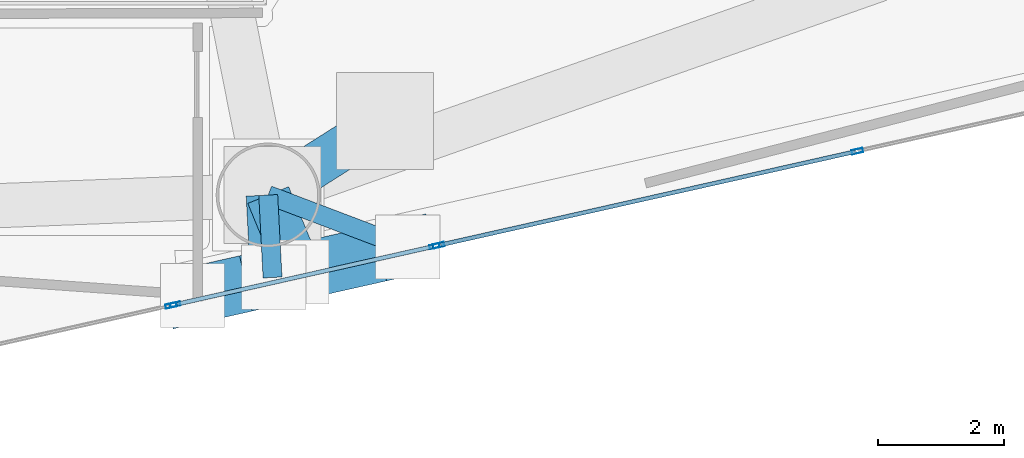
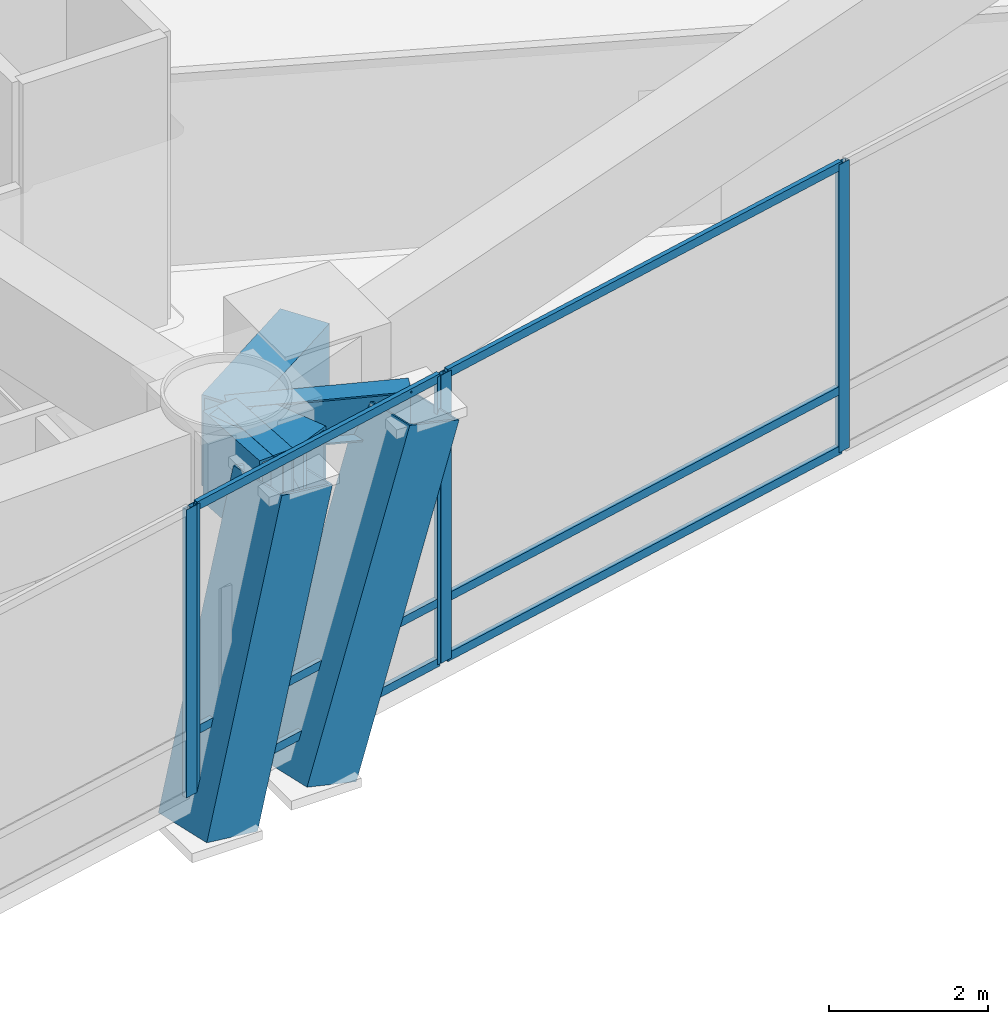
# One storey, part 4 of 22: 13 members, 5 beams, 3 elements without a shape of their own.
"""IFC4 building model written with IfcOpenShell, lengths in metres."""

import ifcopenshell
import ifcopenshell.guid

model = None  # the IFC model being written
_history = None  # IfcOwnerHistory: only IFC2X3 demands one
_inside = {}  # id of a spatial element -> (the spatial element, [elements in it])
_under = {}  # id of a project, library or spatial element -> (it, [spatial elements below it])
_declared = {}  # id of a project -> (the project, [libraries it declares])
_typed = {}  # id of a type object -> (the type object, [elements of that type])
_made_of = {}  # id of a material, layer set ... -> (it, [elements and type objects made of it])


def new_model(schema):
    """Start an empty IFC model of exactly this schema.

    Asked for "IFC4X3", IfcOpenShell would pick the latest addendum, in which some entities
    have other attributes; the version numbers below select the first issue.
    IFC2X3 requires an IfcOwnerHistory on every rooted entity: one is made here for all.
    """
    global model, _history
    if schema == "IFC4X3":
        model = ifcopenshell.file(schema_version=(4, 3, 0, 0))
    else:
        model = ifcopenshell.file(schema=schema)
    _inside.clear()
    _under.clear()
    _declared.clear()
    _typed.clear()
    _made_of.clear()
    _history = None
    if model.schema == "IFC2X3":
        org = make("IfcOrganization", Name="unknown")
        user = make(
            "IfcPersonAndOrganization",
            ThePerson=make("IfcPerson", FamilyName="unknown"),
            TheOrganization=org,
        )
        app = make(
            "IfcApplication",
            ApplicationDeveloper=org,
            Version="unknown",
            ApplicationFullName="unknown",
            ApplicationIdentifier="unknown",
        )
        _history = make(
            "IfcOwnerHistory",
            OwningUser=user,
            OwningApplication=app,
            ChangeAction="ADDED",
            CreationDate=0,
        )
    return model


def make(cls, **values):
    """One entity of the class cls with the attributes given. An attribute that is None is left unset."""
    return model.create_entity(
        cls, **{name: value for name, value in values.items() if value is not None}
    )


def rooted(cls, **values):
    """An entity with a GlobalId (a new one), such as an element, a storey or a relation."""
    return make(cls, GlobalId=ifcopenshell.guid.new(), OwnerHistory=_history, **values)


def si_unit(unit_type, name, prefix=None):
    """IfcSIUnit, for example si_unit("LENGTHUNIT", "METRE", prefix="MILLI")."""
    return make("IfcSIUnit", UnitType=unit_type, Prefix=prefix, Name=name)


def assignment(units):
    """IfcUnitAssignment: the units of a project."""
    return None if units is None else make("IfcUnitAssignment", Units=units)


def point(xyz):
    """IfcCartesianPoint."""
    return None if xyz is None else make("IfcCartesianPoint", Coordinates=xyz)


def direction(xyz):
    """IfcDirection."""
    return None if xyz is None else make("IfcDirection", DirectionRatios=xyz)


def frame(location, z_axis=None, x_axis=None):
    """IfcAxis2Placement3D, a coordinate frame: its origin and axes. An axis left out is left unset."""
    return make(
        "IfcAxis2Placement3D",
        Location=point(location),
        Axis=direction(z_axis),
        RefDirection=direction(x_axis),
    )


def frame_2d(location, x_axis=None):
    """IfcAxis2Placement2D, a coordinate frame in the plane: its origin and x axis."""
    return make(
        "IfcAxis2Placement2D", Location=point(location), RefDirection=direction(x_axis)
    )


def origin():
    """The frame at (0, 0, 0) with its axes left unset."""
    return frame((0.0, 0.0, 0.0))


def origin_2d():
    """The frame at (0, 0) in the plane with its x axis left unset."""
    return frame_2d((0.0, 0.0))


def place(relative_to, where):
    """IfcLocalPlacement: puts the frame where relative to a parent placement (None: the world)."""
    return make(
        "IfcLocalPlacement", PlacementRelTo=relative_to, RelativePlacement=where
    )


def context(
    kind, dimensions, precision=None, world=None, true_north=None, identifier=None
):
    """IfcGeometricRepresentationContext, for example the 3D "Model" context."""
    return make(
        "IfcGeometricRepresentationContext",
        ContextIdentifier=identifier,
        ContextType=kind,
        CoordinateSpaceDimension=dimensions,
        Precision=precision,
        WorldCoordinateSystem=world,
        TrueNorth=true_north,
    )


def subcontext(parent, identifier, kind, view, scale=None):
    """IfcGeometricRepresentationSubContext, for example "Body" below "Model"."""
    return make(
        "IfcGeometricRepresentationSubContext",
        ContextIdentifier=identifier,
        ContextType=kind,
        ParentContext=parent,
        TargetScale=scale,
        TargetView=view,
    )


def project(units=None, contexts=None):
    """IfcProject with its units and contexts."""
    return rooted(
        "IfcProject",
        Name="project",
        RepresentationContexts=contexts,
        UnitsInContext=assignment(units),
    )


def spatial(cls, under=None, at=None, **own):
    """A site, building, storey or space (cls), placed at a placement, below another one or the project."""
    s = rooted(cls, ObjectPlacement=at, **own)
    if under is not None:
        _under.setdefault(under.id(), (under, []))[1].append(s)
    return s


def profile(cls, at=None, kind="AREA", **sizes):
    """A parametric profile (cls). Its sizes go by their IFC names, for example OverallWidth=200.0."""
    return make(cls, ProfileType=kind, Position=at, **sizes)


def hollow_rectangle(**sizes):
    """IfcRectangleHollowProfileDef."""
    return profile("IfcRectangleHollowProfileDef", **sizes)


def i_section(**sizes):
    """IfcIShapeProfileDef."""
    return profile("IfcIShapeProfileDef", **sizes)


def extrude(swept, where, along, depth):
    """IfcExtrudedAreaSolid: the profile swept, set in the frame where, extruded along a direction by depth."""
    return make(
        "IfcExtrudedAreaSolid",
        SweptArea=swept,
        Position=where,
        ExtrudedDirection=direction(along),
        Depth=depth,
    )


def shape(context_of_items, identifier, shape_type, items):
    """IfcShapeRepresentation: the items that make up one representation, for example the "Body"."""
    return make(
        "IfcShapeRepresentation",
        ContextOfItems=context_of_items,
        RepresentationIdentifier=identifier,
        RepresentationType=shape_type,
        Items=items,
    )


def material(Name=None, Category=None):
    """IfcMaterial."""
    return make("IfcMaterial", Name=Name, Category=Category)


def layer(
    of_material, thickness, ventilated=None, Name=None, Category=None, Priority=None
):
    """IfcMaterialLayer: one layer of a wall or slab, of a material (None: an air gap)."""
    return make(
        "IfcMaterialLayer",
        Material=of_material,
        LayerThickness=thickness,
        IsVentilated=ventilated,
        Name=Name,
        Category=Category,
        Priority=Priority,
    )


def layer_set(layers, Name=None):
    """IfcMaterialLayerSet."""
    return make("IfcMaterialLayerSet", MaterialLayers=layers, LayerSetName=Name)


def material_profile(
    of_material, cross_section, Name=None, Category=None, Priority=None
):
    """IfcMaterialProfile: a cross section and its material."""
    return make(
        "IfcMaterialProfile",
        Name=Name,
        Material=of_material,
        Profile=cross_section,
        Priority=Priority,
        Category=Category,
    )


def profile_set(profiles, Name=None, composite=None):
    """IfcMaterialProfileSet."""
    return make(
        "IfcMaterialProfileSet",
        Name=Name,
        MaterialProfiles=profiles,
        CompositeProfile=composite,
    )


def made_of(thing, what):
    """Note that an element or type object is made of a material, layer set ...; save() writes the relation."""
    if what is not None:
        _made_of.setdefault(what.id(), (what, []))[1].append(thing)
    return thing


def type_object(cls, material=None, **own):
    """A type object (cls), such as IfcWallType, which elements share."""
    return made_of(rooted(cls, **own), material)


def element(
    cls,
    number,
    at=None,
    inside=None,
    cuts=None,
    type_object=None,
    material=None,
    context=None,
    identifier="Body",
    shape_type=None,
    held_by="IfcProductDefinitionShape",
    body=None,
    shapes=None,
    **own,
):
    """One element of the class cls, such as IfcWall. Its Tag is "e" and its number.

    at: its placement. inside: the storey or other place that contains it. cuts: it is an
    opening in that element (IfcRelVoidsElement). A single representation is given by context,
    identifier, shape_type and body (its items); several are given by shapes. held_by: the class
    of the entity that holds the representations. save() writes the other relations.
    """
    e = rooted(cls, Tag="e%d" % number, ObjectPlacement=at, **own)
    if body is not None:
        shapes = [shape(context, identifier, shape_type, body)]
    if shapes is not None:
        e.Representation = make(held_by, Representations=shapes)
    if inside is not None:
        _inside.setdefault(inside.id(), (inside, []))[1].append(e)
    if cuts is not None:
        rooted(
            "IfcRelVoidsElement", RelatingBuildingElement=cuts, RelatedOpeningElement=e
        )
    if type_object is not None:
        _typed.setdefault(type_object.id(), (type_object, []))[1].append(e)
    return made_of(e, material)


def aggregate(whole, parts):
    """IfcRelAggregates: a whole, such as a stair, and the parts it consists of."""
    return rooted("IfcRelAggregates", RelatingObject=whole, RelatedObjects=parts)


def save(model, path):
    """Write the relations noted so far, then the file.

    IfcRelAggregates (storeys below a building ...), IfcRelContainedInSpatialStructure (elements
    in a storey), IfcRelDefinesByType, IfcRelAssociatesMaterial and IfcRelDeclares: one each for
    every whole, place, type object, material and project.
    """
    for whole, parts in _under.values():
        aggregate(whole, parts)
    for where, things in _inside.values():
        rooted(
            "IfcRelContainedInSpatialStructure",
            RelatedElements=things,
            RelatingStructure=where,
        )
    for kind, things in _typed.values():
        rooted("IfcRelDefinesByType", RelatedObjects=things, RelatingType=kind)
    for what, things in _made_of.values():
        rooted("IfcRelAssociatesMaterial", RelatedObjects=things, RelatingMaterial=what)
    for by, libraries in _declared.values():
        rooted("IfcRelDeclares", RelatingContext=by, RelatedDefinitions=libraries)
    model.write(path)


model = new_model("IFC4")

# Units and contexts
model_context = context("Model", 3, precision=1e-05, world=origin(), true_north=direction((0.0, 1.0)))
body_context = subcontext(model_context, "Body", "Model", "MODEL_VIEW")
ifc_project = project(units=[si_unit("LENGTHUNIT", "METRE"), si_unit("AREAUNIT", "SQUARE_METRE"), si_unit("VOLUMEUNIT", "CUBIC_METRE"), si_unit("PLANEANGLEUNIT", "RADIAN"), si_unit("MASSUNIT", "GRAM", prefix="KILO")], contexts=[model_context])

# Site, building, storey
site_placement = place(None, origin())
site = spatial("IfcSite", under=ifc_project, at=site_placement, CompositionType="ELEMENT")
building_placement = place(site_placement, origin())
building = spatial("IfcBuilding", under=site, at=building_placement, Name="Qianvela Tower", CompositionType="ELEMENT")
storey_placement = place(building_placement, frame((0.0, 0.0, 93.199951171875)))
storey = spatial("IfcBuildingStorey", under=building, at=storey_placement, Name="L23", CompositionType="ELEMENT", Elevation=93.199951171875)

# Beams
ifc_material_1 = material(Name="Steel Q355B", Category="steel")
ifc_material_profile_1 = material_profile(ifc_material_1, i_section(OverallWidth=0.300048828125, OverallDepth=0.699951171875, WebThickness=0.012939453125, FlangeThickness=0.02392578125, at=origin_2d()), Name="HN700x300x13x24")
ifc_profile_set_1 = profile_set([ifc_material_profile_1], Name="Steel Q355B")
beam_type_1 = type_object("IfcBeamType", Name="BM-HN700-SPAND", PredefinedType="SPANDREL", material=ifc_profile_set_1)
beam_1_placement = place(storey_placement, frame((40.18896484375, 14.819091796875, 4.068115234375), z_axis=(0.052382716137, -0.998627083075, 0.0), x_axis=(0.998627083075, 0.052382716137, 0.0)))
element("IfcBeam", 1, at=beam_1_placement, inside=storey, type_object=beam_type_1, Name="L23 Mega-Brace Column Tie Bracket F3-1", PredefinedType="SPANDREL", context=body_context, shape_type="SweptSolid", body=[
    extrude(i_section(OverallWidth=0.300048828125, OverallDepth=0.699951171875, WebThickness=0.012939453125, FlangeThickness=0.02392578125, at=origin_2d()), origin(), (0.0, 0.0, 1.0), 1.3095703125),
])
beam_2_placement = place(storey_placement, frame((40.18896484375, 14.819091796875, 4.068115234375), z_axis=(0.935016589196, -0.354603973368, 0.0), x_axis=(0.354603973368, 0.935016589196, 0.0)))
element("IfcBeam", 2, at=beam_2_placement, inside=storey, type_object=beam_type_1, Name="L23 Mega-Brace Column Tie Bracket F3-2", PredefinedType="SPANDREL", context=body_context, shape_type="SweptSolid", body=[
    extrude(i_section(OverallWidth=0.300048828125, OverallDepth=0.699951171875, WebThickness=0.012939453125, FlangeThickness=0.02392578125, at=origin_2d()), origin(), (0.0, 0.0, 1.0), 2.343017578125),
])
ifc_material_2 = material(Name="Steel Q420GJC", Category="steel")
ifc_material_profile_2 = material_profile(ifc_material_2, hollow_rectangle(XDim=0.699951171875, YDim=1.39990234375, WallThickness=0.0400390625, at=origin_2d()), Name="TG-BOX-1400x700x40")
ifc_profile_set_2 = profile_set([ifc_material_profile_2], Name="Steel Q420GJC")
beam_type_2 = type_object("IfcBeamType", Name="BM-TG-STEP-1400", PredefinedType="BEAM", material=ifc_profile_set_2)
for number, where, z_axis, x_axis, name in (
    (3, (40.18896484375, 14.819091796875, 3.715087890625), (0.052382716137, -0.998627083075, 0.0), (0.998627083075, 0.052382716137, 0.0), "L23 Mega-Brace Zone Base Bracket F3-1"),
    (4, (40.18896484375, 14.819091796875, 3.715087890625), (0.380309068565, -0.924859455467, 0.0), (0.924859455467, 0.380309068565, 0.0), "L23 Mega-Brace Zone Base Bracket F3-2"),
):
    element("IfcBeam", number, at=place(storey_placement, frame(where, z_axis=z_axis, x_axis=x_axis)), inside=storey, type_object=beam_type_2, Name=name, PredefinedType="BEAM", context=body_context, shape_type="SweptSolid", body=[
        extrude(hollow_rectangle(XDim=0.699951171875, YDim=1.39990234375, WallThickness=0.0400390625, at=origin_2d()), origin(), (0.0, 0.0, 1.0), 1.3095703125),
    ])
beam_3_placement = place(storey_placement, frame((40.18896484375, 14.819091796875, 3.718017578125), z_axis=(0.845131706852, 0.534558133483, 0.0), x_axis=(-0.534558133483, 0.845131706852, 0.0)))
element("IfcBeam", 5, at=beam_3_placement, inside=storey, type_object=beam_type_2, Name="L23 Zone-Step Transfer Girder 6", PredefinedType="BEAM", context=body_context, shape_type="SweptSolid", body=[
    extrude(hollow_rectangle(XDim=0.699951171875, YDim=1.39990234375, WallThickness=0.0400390625, at=origin_2d()), origin(), (0.0, 0.0, 1.0), 2.128662109375),
])

# Curtain wall, members
ifc_material_3 = material(Name="Anodised Architectural Aluminium and Insulated Spandrel Panel", Category="aluminium")
ifc_layer_1 = layer(ifc_material_3, 0.179931640625)
ifc_layer_set_1 = layer_set([ifc_layer_1], Name="Anodised Architectural Aluminium and Insulated Spandrel Panel")
curtain_wall_type_1 = type_object("IfcCurtainWallType", Name="CW-BRACEBAY", PredefinedType="USERDEFINED", material=ifc_layer_set_1)
curtain_wall_1_placement = place(storey_placement, origin())
curtain_wall_1 = element("IfcCurtainWall", 6, at=curtain_wall_1_placement, inside=storey, type_object=curtain_wall_type_1, Name="L23 CW-BRACEBAY Curtain Wall 06B", ObjectType="CURTAIN_WALL_SYSTEM", PredefinedType="USERDEFINED")
ifc_material_4 = material(Name="Anodised Architectural Aluminium 6063-T6", Category="aluminium")
ifc_material_profile_3 = material_profile(ifc_material_4, hollow_rectangle(XDim=0.06494140625, YDim=0.159912109375, WallThickness=0.0048828125, at=origin_2d()), Name="ALU-MULL-65x160")
ifc_profile_set_3 = profile_set([ifc_material_profile_3], Name="Anodised Architectural Aluminium 6063-T6")
member_type_1 = type_object("IfcMemberType", Name="CW-BRACEBAY-MULL", PredefinedType="MULLION", material=ifc_profile_set_3)
member_1_placement = place(storey_placement, frame((38.713623046875, 13.08203125, 0.0), z_axis=(0.0, 0.0, 1.0), x_axis=(-0.219371531839, 0.975641394683, 0.0)))
member_1 = element("IfcMember", 7, at=member_1_placement, type_object=member_type_1, Name="CW-9 mullion 1", PredefinedType="MULLION", context=body_context, shape_type="SweptSolid", body=[
    extrude(hollow_rectangle(XDim=0.06494140625, YDim=0.159912109375, WallThickness=0.0048828125, at=origin_2d()), origin(), (0.0, 0.0, 1.0), 4.420166015625),
])
member_2_placement = place(storey_placement, frame((42.82568359375, 14.006591796875, 0.0), z_axis=(0.0, 0.0, 1.0), x_axis=(-0.219371531839, 0.975641394683, 0.0)))
member_2 = element("IfcMember", 8, at=member_2_placement, type_object=member_type_1, Name="CW-9 mullion 2", PredefinedType="MULLION", context=body_context, shape_type="SweptSolid", body=[
    extrude(hollow_rectangle(XDim=0.06494140625, YDim=0.159912109375, WallThickness=0.0048828125, at=origin_2d()), origin(), (0.0, 0.0, 1.0), 4.420166015625),
])
ifc_material_5 = material(Name="Anodised Architectural Aluminium 6063-T6", Category="aluminium")
ifc_material_profile_4 = material_profile(ifc_material_5, hollow_rectangle(XDim=0.06494140625, YDim=0.1298828125, WallThickness=0.00439453125, at=origin_2d()), Name="ALU-TRAN-65x130")
ifc_profile_set_4 = profile_set([ifc_material_profile_4], Name="Anodised Architectural Aluminium 6063-T6")
member_type_2 = type_object("IfcMemberType", Name="CW-BRACEBAY-TRAN", PredefinedType="USERDEFINED", material=ifc_profile_set_4)
member_3_placement = place(storey_placement, frame((38.7451171875, 13.089111328125, 0.032470703125), z_axis=(0.975642815428, 0.219365213068, 0.0), x_axis=(-0.219365213068, 0.975642815428, 0.0)))
member_3 = element("IfcMember", 9, at=member_3_placement, type_object=member_type_2, Name="CW-9 transom 1.1", ObjectType="TRANSOM", PredefinedType="USERDEFINED", context=body_context, shape_type="SweptSolid", body=[
    extrude(hollow_rectangle(XDim=0.06494140625, YDim=0.1298828125, WallThickness=0.00439453125, at=origin_2d()), origin(), (0.0, 0.0, 1.0), 4.150146484375),
])
member_4_placement = place(storey_placement, frame((38.7451171875, 13.089111328125, 0.949951171875), z_axis=(0.975642815428, 0.219365213068, 0.0), x_axis=(-0.219365213068, 0.975642815428, 0.0)))
member_4 = element("IfcMember", 10, at=member_4_placement, type_object=member_type_2, Name="CW-9 transom 1.2", ObjectType="TRANSOM", PredefinedType="USERDEFINED", context=body_context, shape_type="SweptSolid", body=[
    extrude(hollow_rectangle(XDim=0.06494140625, YDim=0.1298828125, WallThickness=0.00439453125, at=origin_2d()), origin(), (0.0, 0.0, 1.0), 4.150146484375),
])
member_5_placement = place(storey_placement, frame((38.7451171875, 13.089111328125, 4.387451171875), z_axis=(0.975642815428, 0.219365213068, 0.0), x_axis=(-0.219365213068, 0.975642815428, 0.0)))
member_5 = element("IfcMember", 11, at=member_5_placement, type_object=member_type_2, Name="CW-9 transom 1.3", ObjectType="TRANSOM", PredefinedType="USERDEFINED", context=body_context, shape_type="SweptSolid", body=[
    extrude(hollow_rectangle(XDim=0.06494140625, YDim=0.1298828125, WallThickness=0.00439453125, at=origin_2d()), origin(), (0.0, 0.0, 1.0), 4.150146484375),
])
aggregate(curtain_wall_1, [member_1, member_2, member_3, member_4, member_5])

# Curtain wall, member
ifc_material_6 = material(Name="Anodised Architectural Aluminium and Low-E Glass", Category="aluminium")
ifc_layer_2 = layer(ifc_material_6, 0.179931640625)
ifc_layer_set_2 = layer_set([ifc_layer_2], Name="Anodised Architectural Aluminium and Low-E Glass")
curtain_wall_type_2 = type_object("IfcCurtainWallType", Name="CW-COLIV-Z12", PredefinedType="USERDEFINED", material=ifc_layer_set_2)
curtain_wall_2_placement = place(storey_placement, origin())
curtain_wall_2 = element("IfcCurtainWall", 12, at=curtain_wall_2_placement, inside=storey, type_object=curtain_wall_type_2, Name="L23 CW-COLIV-Z12 Curtain Wall 06A", ObjectType="CURTAIN_WALL_SYSTEM", PredefinedType="USERDEFINED")
ifc_material_7 = material(Name="Anodised Architectural Aluminium 6063-T6", Category="aluminium")
ifc_material_profile_5 = material_profile(ifc_material_7, hollow_rectangle(XDim=0.070068359375, YDim=0.179931640625, WallThickness=0.0048828125, at=origin_2d()), Name="ALU-MULL-70x180")
ifc_profile_set_5 = profile_set([ifc_material_profile_5], Name="Anodised Architectural Aluminium 6063-T6")
member_type_3 = type_object("IfcMemberType", Name="CW-COLIV-Z12-MULL", PredefinedType="MULLION", material=ifc_profile_set_5)
member_6_placement = place(storey_placement, frame((38.647705078125, 13.067138671875, 0.0), z_axis=(0.0, 0.0, 1.0), x_axis=(-0.219383912345, 0.975638610862, 0.0)))
member_6 = element("IfcMember", 13, at=member_6_placement, type_object=member_type_3, Name="CW-3 mullion 2", PredefinedType="MULLION", context=body_context, shape_type="SweptSolid", body=[
    extrude(hollow_rectangle(XDim=0.070068359375, YDim=0.179931640625, WallThickness=0.0048828125, at=origin_2d()), origin(), (0.0, 0.0, 1.0), 4.420166015625),
])
aggregate(curtain_wall_2, [member_6])

# Curtain wall, members
curtain_wall_3_placement = place(storey_placement, origin())
curtain_wall_3 = element("IfcCurtainWall", 14, at=curtain_wall_3_placement, inside=storey, type_object=curtain_wall_type_2, Name="L23 CW-COLIV-Z12 Curtain Wall 06C", ObjectType="CURTAIN_WALL_SYSTEM", PredefinedType="USERDEFINED")
member_7_placement = place(storey_placement, frame((42.8916015625, 14.021484375, 0.0), z_axis=(0.0, 0.0, 1.0), x_axis=(-0.219386838607, 0.975637952852, 0.0)))
member_7 = element("IfcMember", 15, at=member_7_placement, type_object=member_type_3, Name="CW-3 mullion 1", PredefinedType="MULLION", context=body_context, shape_type="SweptSolid", body=[
    extrude(hollow_rectangle(XDim=0.070068359375, YDim=0.179931640625, WallThickness=0.0048828125, at=origin_2d()), origin(), (0.0, 0.0, 1.0), 4.420166015625),
])
member_8_placement = place(storey_placement, frame((49.533935546875, 15.51513671875, 0.0), z_axis=(0.0, 0.0, 1.0), x_axis=(-0.219386838607, 0.975637952852, 0.0)))
member_8 = element("IfcMember", 16, at=member_8_placement, type_object=member_type_3, Name="CW-3 mullion 2", PredefinedType="MULLION", context=body_context, shape_type="SweptSolid", body=[
    extrude(hollow_rectangle(XDim=0.070068359375, YDim=0.179931640625, WallThickness=0.0048828125, at=origin_2d()), origin(), (0.0, 0.0, 1.0), 4.420166015625),
])
ifc_material_8 = material(Name="Anodised Architectural Aluminium 6063-T6", Category="aluminium")
ifc_material_profile_6 = material_profile(ifc_material_8, hollow_rectangle(XDim=0.06494140625, YDim=0.1298828125, WallThickness=0.00439453125, at=origin_2d()), Name="ALU-TRAN-65x130")
ifc_profile_set_6 = profile_set([ifc_material_profile_6], Name="Anodised Architectural Aluminium 6063-T6")
member_type_4 = type_object("IfcMemberType", Name="CW-COLIV-Z12-TRAN", PredefinedType="USERDEFINED", material=ifc_profile_set_6)
member_9_placement = place(storey_placement, frame((42.92578125, 14.029052734375, 0.032470703125), z_axis=(0.975637488619, 0.219388903093, 0.0), x_axis=(-0.219388903093, 0.975637488619, 0.0)))
member_9 = element("IfcMember", 17, at=member_9_placement, type_object=member_type_4, Name="CW-3 transom 1.1", ObjectType="TRANSOM", PredefinedType="USERDEFINED", context=body_context, shape_type="SweptSolid", body=[
    extrude(hollow_rectangle(XDim=0.06494140625, YDim=0.1298828125, WallThickness=0.00439453125, at=origin_2d()), origin(), (0.0, 0.0, 1.0), 6.738037109375),
])
member_10_placement = place(storey_placement, frame((42.92578125, 14.029052734375, 0.949951171875), z_axis=(0.975637488619, 0.219388903093, 0.0), x_axis=(-0.219388903093, 0.975637488619, 0.0)))
member_10 = element("IfcMember", 18, at=member_10_placement, type_object=member_type_4, Name="CW-3 transom 1.2", ObjectType="TRANSOM", PredefinedType="USERDEFINED", context=body_context, shape_type="SweptSolid", body=[
    extrude(hollow_rectangle(XDim=0.06494140625, YDim=0.1298828125, WallThickness=0.00439453125, at=origin_2d()), origin(), (0.0, 0.0, 1.0), 6.738037109375),
])
member_11_placement = place(storey_placement, frame((42.92578125, 14.029052734375, 4.387451171875), z_axis=(0.975637488619, 0.219388903093, 0.0), x_axis=(-0.219388903093, 0.975637488619, 0.0)))
member_11 = element("IfcMember", 19, at=member_11_placement, type_object=member_type_4, Name="CW-3 transom 1.3", ObjectType="TRANSOM", PredefinedType="USERDEFINED", context=body_context, shape_type="SweptSolid", body=[
    extrude(hollow_rectangle(XDim=0.06494140625, YDim=0.1298828125, WallThickness=0.00439453125, at=origin_2d()), origin(), (0.0, 0.0, 1.0), 6.738037109375),
])
aggregate(curtain_wall_3, [member_7, member_8, member_9, member_10, member_11])

# Members
ifc_material_9 = material(Name="Steel Q420GJC", Category="steel")
ifc_material_profile_7 = material_profile(ifc_material_9, hollow_rectangle(XDim=0.89990234375, YDim=0.89990234375, WallThickness=0.035888671875, at=origin_2d()), Name="MBOX-900x900x36")
ifc_profile_set_7 = profile_set([ifc_material_profile_7], Name="Steel Q420GJC")
member_type_5 = type_object("IfcMemberType", Name="MBR-MBRACE-900", PredefinedType="BRACE", material=ifc_profile_set_7)
member_12_placement = place(storey_placement, frame((39.00390625, 13.229248046875, -0.65185546875), z_axis=(0.256280431413, 0.05764438136, 0.964882099416), x_axis=(-0.219444379553, 0.975625012124, 0.0)))
element("IfcMember", 20, at=member_12_placement, inside=storey, type_object=member_type_5, Name="L23 Tier 4 Exterior Mega-Brace F3A", PredefinedType="BRACE", context=body_context, shape_type="SweptSolid", body=[
    extrude(hollow_rectangle(XDim=0.89990234375, YDim=0.89990234375, WallThickness=0.035888671875, at=origin_2d()), origin(), (0.0, 0.0, 1.0), 4.891845703125),
])
member_13_placement = place(storey_placement, frame((40.664794921875, 13.602783203125, -0.65185546875), z_axis=(0.340475913952, 0.076539218128, 0.937132808148), x_axis=(-0.21932709797, 0.97565138451, 0.0)))
element("IfcMember", 21, at=member_13_placement, inside=storey, type_object=member_type_5, Name="L23 Tier 4 Exterior Mega-Brace F3B", PredefinedType="BRACE", context=body_context, shape_type="SweptSolid", body=[
    extrude(hollow_rectangle(XDim=0.89990234375, YDim=0.89990234375, WallThickness=0.035888671875, at=origin_2d()), origin(), (0.0, 0.0, 1.0), 5.03662109375),
])

save(model, "model.ifc")
